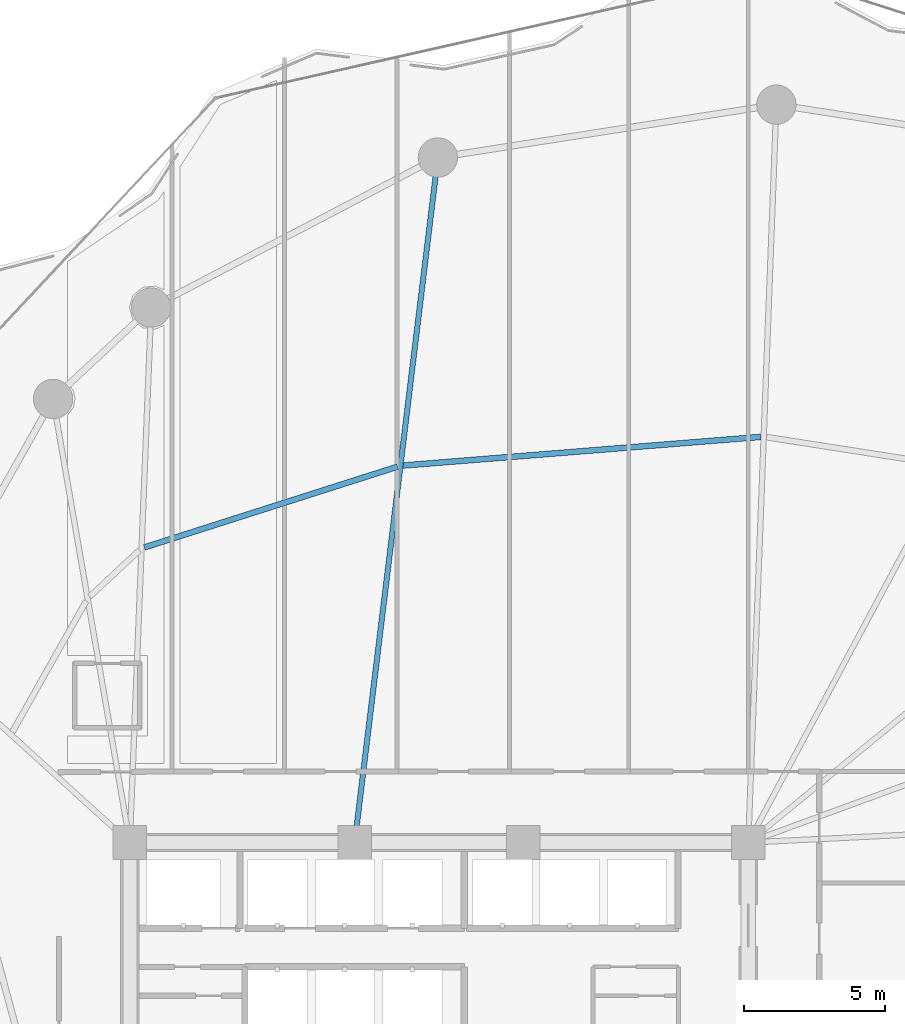
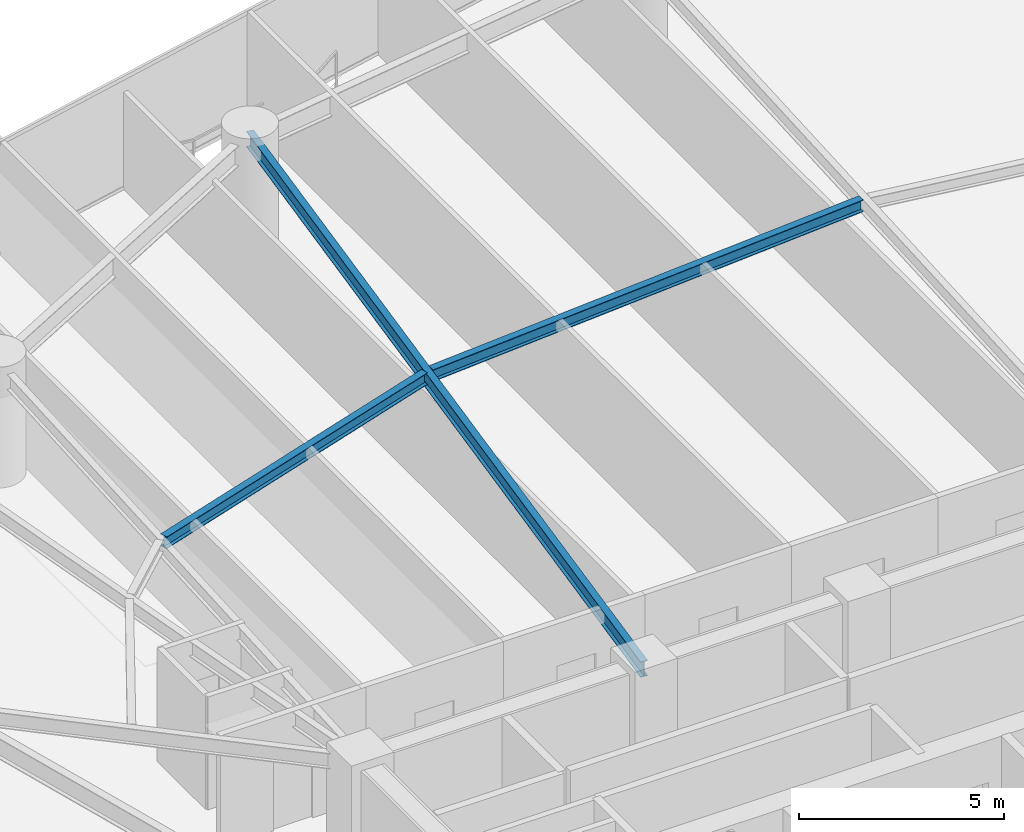
# One storey, part 17 of 32: 3 beams.
"""IFC4 building model written with IfcOpenShell, lengths in metres."""

import ifcopenshell
import ifcopenshell.guid

model = None  # the IFC model being written
_history = None  # IfcOwnerHistory: only IFC2X3 demands one
_inside = {}  # id of a spatial element -> (the spatial element, [elements in it])
_under = {}  # id of a project, library or spatial element -> (it, [spatial elements below it])
_declared = {}  # id of a project -> (the project, [libraries it declares])
_typed = {}  # id of a type object -> (the type object, [elements of that type])
_made_of = {}  # id of a material, layer set ... -> (it, [elements and type objects made of it])


def new_model(schema):
    """Start an empty IFC model of exactly this schema.

    Asked for "IFC4X3", IfcOpenShell would pick the latest addendum, in which some entities
    have other attributes; the version numbers below select the first issue.
    IFC2X3 requires an IfcOwnerHistory on every rooted entity: one is made here for all.
    """
    global model, _history
    if schema == "IFC4X3":
        model = ifcopenshell.file(schema_version=(4, 3, 0, 0))
    else:
        model = ifcopenshell.file(schema=schema)
    _inside.clear()
    _under.clear()
    _declared.clear()
    _typed.clear()
    _made_of.clear()
    _history = None
    if model.schema == "IFC2X3":
        org = make("IfcOrganization", Name="unknown")
        user = make(
            "IfcPersonAndOrganization",
            ThePerson=make("IfcPerson", FamilyName="unknown"),
            TheOrganization=org,
        )
        app = make(
            "IfcApplication",
            ApplicationDeveloper=org,
            Version="unknown",
            ApplicationFullName="unknown",
            ApplicationIdentifier="unknown",
        )
        _history = make(
            "IfcOwnerHistory",
            OwningUser=user,
            OwningApplication=app,
            ChangeAction="ADDED",
            CreationDate=0,
        )
    return model


def make(cls, **values):
    """One entity of the class cls with the attributes given. An attribute that is None is left unset."""
    return model.create_entity(
        cls, **{name: value for name, value in values.items() if value is not None}
    )


def rooted(cls, **values):
    """An entity with a GlobalId (a new one), such as an element, a storey or a relation."""
    return make(cls, GlobalId=ifcopenshell.guid.new(), OwnerHistory=_history, **values)


def si_unit(unit_type, name, prefix=None):
    """IfcSIUnit, for example si_unit("LENGTHUNIT", "METRE", prefix="MILLI")."""
    return make("IfcSIUnit", UnitType=unit_type, Prefix=prefix, Name=name)


def assignment(units):
    """IfcUnitAssignment: the units of a project."""
    return None if units is None else make("IfcUnitAssignment", Units=units)


def point(xyz):
    """IfcCartesianPoint."""
    return None if xyz is None else make("IfcCartesianPoint", Coordinates=xyz)


def direction(xyz):
    """IfcDirection."""
    return None if xyz is None else make("IfcDirection", DirectionRatios=xyz)


def frame(location, z_axis=None, x_axis=None):
    """IfcAxis2Placement3D, a coordinate frame: its origin and axes. An axis left out is left unset."""
    return make(
        "IfcAxis2Placement3D",
        Location=point(location),
        Axis=direction(z_axis),
        RefDirection=direction(x_axis),
    )


def frame_2d(location, x_axis=None):
    """IfcAxis2Placement2D, a coordinate frame in the plane: its origin and x axis."""
    return make(
        "IfcAxis2Placement2D", Location=point(location), RefDirection=direction(x_axis)
    )


def origin():
    """The frame at (0, 0, 0) with its axes left unset."""
    return frame((0.0, 0.0, 0.0))


def origin_2d():
    """The frame at (0, 0) in the plane with its x axis left unset."""
    return frame_2d((0.0, 0.0))


def place(relative_to, where):
    """IfcLocalPlacement: puts the frame where relative to a parent placement (None: the world)."""
    return make(
        "IfcLocalPlacement", PlacementRelTo=relative_to, RelativePlacement=where
    )


def context(
    kind, dimensions, precision=None, world=None, true_north=None, identifier=None
):
    """IfcGeometricRepresentationContext, for example the 3D "Model" context."""
    return make(
        "IfcGeometricRepresentationContext",
        ContextIdentifier=identifier,
        ContextType=kind,
        CoordinateSpaceDimension=dimensions,
        Precision=precision,
        WorldCoordinateSystem=world,
        TrueNorth=true_north,
    )


def subcontext(parent, identifier, kind, view, scale=None):
    """IfcGeometricRepresentationSubContext, for example "Body" below "Model"."""
    return make(
        "IfcGeometricRepresentationSubContext",
        ContextIdentifier=identifier,
        ContextType=kind,
        ParentContext=parent,
        TargetScale=scale,
        TargetView=view,
    )


def project(units=None, contexts=None):
    """IfcProject with its units and contexts."""
    return rooted(
        "IfcProject",
        Name="project",
        RepresentationContexts=contexts,
        UnitsInContext=assignment(units),
    )


def spatial(cls, under=None, at=None, **own):
    """A site, building, storey or space (cls), placed at a placement, below another one or the project."""
    s = rooted(cls, ObjectPlacement=at, **own)
    if under is not None:
        _under.setdefault(under.id(), (under, []))[1].append(s)
    return s


def profile(cls, at=None, kind="AREA", **sizes):
    """A parametric profile (cls). Its sizes go by their IFC names, for example OverallWidth=200.0."""
    return make(cls, ProfileType=kind, Position=at, **sizes)


def i_section(**sizes):
    """IfcIShapeProfileDef."""
    return profile("IfcIShapeProfileDef", **sizes)


def extrude(swept, where, along, depth):
    """IfcExtrudedAreaSolid: the profile swept, set in the frame where, extruded along a direction by depth."""
    return make(
        "IfcExtrudedAreaSolid",
        SweptArea=swept,
        Position=where,
        ExtrudedDirection=direction(along),
        Depth=depth,
    )


def shape(context_of_items, identifier, shape_type, items):
    """IfcShapeRepresentation: the items that make up one representation, for example the "Body"."""
    return make(
        "IfcShapeRepresentation",
        ContextOfItems=context_of_items,
        RepresentationIdentifier=identifier,
        RepresentationType=shape_type,
        Items=items,
    )


def material(Name=None, Category=None):
    """IfcMaterial."""
    return make("IfcMaterial", Name=Name, Category=Category)


def material_profile(
    of_material, cross_section, Name=None, Category=None, Priority=None
):
    """IfcMaterialProfile: a cross section and its material."""
    return make(
        "IfcMaterialProfile",
        Name=Name,
        Material=of_material,
        Profile=cross_section,
        Priority=Priority,
        Category=Category,
    )


def profile_set(profiles, Name=None, composite=None):
    """IfcMaterialProfileSet."""
    return make(
        "IfcMaterialProfileSet",
        Name=Name,
        MaterialProfiles=profiles,
        CompositeProfile=composite,
    )


def made_of(thing, what):
    """Note that an element or type object is made of a material, layer set ...; save() writes the relation."""
    if what is not None:
        _made_of.setdefault(what.id(), (what, []))[1].append(thing)
    return thing


def type_object(cls, material=None, **own):
    """A type object (cls), such as IfcWallType, which elements share."""
    return made_of(rooted(cls, **own), material)


def element(
    cls,
    number,
    at=None,
    inside=None,
    cuts=None,
    type_object=None,
    material=None,
    context=None,
    identifier="Body",
    shape_type=None,
    held_by="IfcProductDefinitionShape",
    body=None,
    shapes=None,
    **own,
):
    """One element of the class cls, such as IfcWall. Its Tag is "e" and its number.

    at: its placement. inside: the storey or other place that contains it. cuts: it is an
    opening in that element (IfcRelVoidsElement). A single representation is given by context,
    identifier, shape_type and body (its items); several are given by shapes. held_by: the class
    of the entity that holds the representations. save() writes the other relations.
    """
    e = rooted(cls, Tag="e%d" % number, ObjectPlacement=at, **own)
    if body is not None:
        shapes = [shape(context, identifier, shape_type, body)]
    if shapes is not None:
        e.Representation = make(held_by, Representations=shapes)
    if inside is not None:
        _inside.setdefault(inside.id(), (inside, []))[1].append(e)
    if cuts is not None:
        rooted(
            "IfcRelVoidsElement", RelatingBuildingElement=cuts, RelatedOpeningElement=e
        )
    if type_object is not None:
        _typed.setdefault(type_object.id(), (type_object, []))[1].append(e)
    return made_of(e, material)


def aggregate(whole, parts):
    """IfcRelAggregates: a whole, such as a stair, and the parts it consists of."""
    return rooted("IfcRelAggregates", RelatingObject=whole, RelatedObjects=parts)


def save(model, path):
    """Write the relations noted so far, then the file.

    IfcRelAggregates (storeys below a building ...), IfcRelContainedInSpatialStructure (elements
    in a storey), IfcRelDefinesByType, IfcRelAssociatesMaterial and IfcRelDeclares: one each for
    every whole, place, type object, material and project.
    """
    for whole, parts in _under.values():
        aggregate(whole, parts)
    for where, things in _inside.values():
        rooted(
            "IfcRelContainedInSpatialStructure",
            RelatedElements=things,
            RelatingStructure=where,
        )
    for kind, things in _typed.values():
        rooted("IfcRelDefinesByType", RelatedObjects=things, RelatingType=kind)
    for what, things in _made_of.values():
        rooted("IfcRelAssociatesMaterial", RelatedObjects=things, RelatingMaterial=what)
    for by, libraries in _declared.values():
        rooted("IfcRelDeclares", RelatingContext=by, RelatedDefinitions=libraries)
    model.write(path)


model = new_model("IFC4")

# Units and contexts
model_context = context("Model", 3, precision=1e-05, world=origin(), true_north=direction((0.0, 1.0)))
body_context = subcontext(model_context, "Body", "Model", "MODEL_VIEW")
ifc_project = project(units=[si_unit("LENGTHUNIT", "METRE"), si_unit("AREAUNIT", "SQUARE_METRE"), si_unit("VOLUMEUNIT", "CUBIC_METRE"), si_unit("PLANEANGLEUNIT", "RADIAN"), si_unit("MASSUNIT", "GRAM", prefix="KILO")], contexts=[model_context])

# Site, building, storey
site_placement = place(None, origin())
site = spatial("IfcSite", under=ifc_project, at=site_placement, CompositionType="ELEMENT")
building_placement = place(site_placement, origin())
building = spatial("IfcBuilding", under=site, at=building_placement, Name="Kazevale Care Tower and Concert Hall", CompositionType="ELEMENT")
storey_placement = place(building_placement, frame((0.0, 0.0, 24.0)))
storey = spatial("IfcBuildingStorey", under=building, at=storey_placement, Name="L05", CompositionType="ELEMENT", Elevation=24.0)

# Beams
ifc_material = material(Name="Steel ASTM A572 Gr 50", Category="steel")
ifc_material_profile_1 = material_profile(ifc_material, i_section(OverallWidth=0.19091796875, OverallDepth=0.4599609375, WebThickness=0.010009765625, FlangeThickness=0.01611328125, at=origin_2d()), Name="W460x82")
ifc_profile_set_1 = profile_set([ifc_material_profile_1], Name="Steel ASTM A572 Gr 50")
beam_type_1 = type_object("IfcBeamType", Name="Radial Floor Beam W460x82", PredefinedType="BEAM", material=ifc_profile_set_1)
beam_1_placement = place(storey_placement, frame((30.0, 36.39990234375, 3.1298828125), z_axis=(0.120572526662, 0.9927045209, 0.0), x_axis=(-0.9927045209, 0.120572526662, 0.0)))
element("IfcBeam", 1, at=beam_1_placement, inside=storey, type_object=beam_type_1, Name="beam:L05:rad:06", PredefinedType="BEAM", context=body_context, shape_type="SweptSolid", body=[
    extrude(i_section(OverallWidth=0.19091796875, OverallDepth=0.4599609375, WebThickness=0.010009765625, FlangeThickness=0.01611328125, at=origin_2d()), origin(), (0.0, 0.0, 1.0), 24.54931640625),
])
ifc_material_profile_2 = material_profile(ifc_material, i_section(OverallWidth=0.205078125, OverallDepth=0.35400390625, WebThickness=0.009521484375, FlangeThickness=0.016845703125, at=origin_2d()), Name="W360x79")
ifc_profile_set_2 = profile_set([ifc_material_profile_2], Name="Steel ASTM A572 Gr 50")
beam_type_2 = type_object("IfcBeamType", Name="Secondary Floor Joist W360x79", PredefinedType="JOIST", material=ifc_profile_set_2)
beam_2_placement = place(storey_placement, frame((44.445068359375, 50.8291015625, 3.18310546875), z_axis=(-0.996814548036, -0.079754353015, 0.0), x_axis=(0.079754353015, -0.996814548036, 0.0)))
element("IfcBeam", 2, at=beam_2_placement, inside=storey, type_object=beam_type_2, Name="beam:L05:joist:05", PredefinedType="JOIST", context=body_context, shape_type="SweptSolid", body=[
    extrude(i_section(OverallWidth=0.205078125, OverallDepth=0.35400390625, WebThickness=0.009521484375, FlangeThickness=0.016845703125, at=origin_2d()), origin(), (0.0, 0.0, 1.0), 12.752685546875),
])
beam_3_placement = place(storey_placement, frame((31.528076171875, 49.77197265625, 3.18310546875), z_axis=(-0.9527054955, -0.303895111584, 0.0), x_axis=(0.303895111584, -0.9527054955, 0.0)))
element("IfcBeam", 3, at=beam_3_placement, inside=storey, type_object=beam_type_2, Name="beam:L05:joist:06", PredefinedType="JOIST", context=body_context, shape_type="SweptSolid", body=[
    extrude(i_section(OverallWidth=0.205078125, OverallDepth=0.35400390625, WebThickness=0.009521484375, FlangeThickness=0.016845703125, at=origin_2d()), origin(), (0.0, 0.0, 1.0), 9.457275390625),
])

save(model, "model.ifc")
